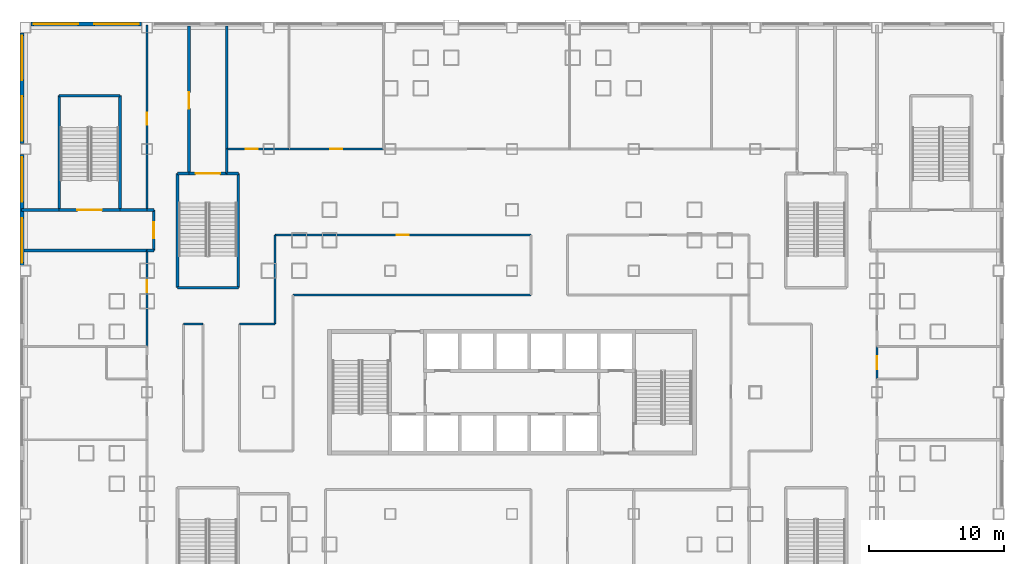
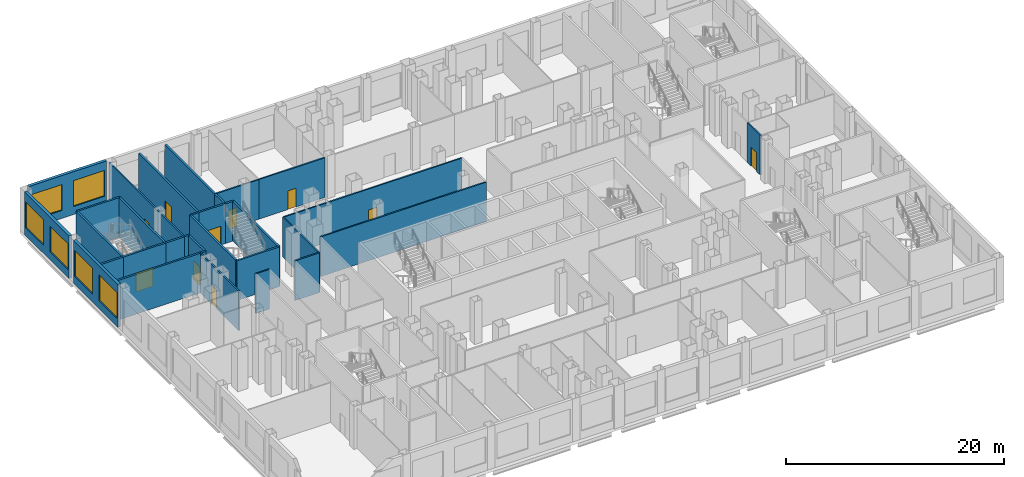
# One storey, part 6 of 23: 32 walls, 10 doors, 6 windows, 16 openings.
"""IFC4 building model written with IfcOpenShell, lengths in metres."""

from ifc_helpers import new_model, si_unit, direction, frame, frame_2d, origin, place, context, subcontext, project, spatial, rectangle, extrude, material, layer, layer_set, type_object, element, fill, save


model = new_model("IFC4")

# Units and contexts
model_context = context("Model", 3, precision=1e-05, world=origin(), true_north=direction((0.0, 1.0)))
body_context = subcontext(model_context, "Body", "Model", "MODEL_VIEW")
ifc_project = project(units=[si_unit("LENGTHUNIT", "METRE"), si_unit("AREAUNIT", "SQUARE_METRE"), si_unit("VOLUMEUNIT", "CUBIC_METRE"), si_unit("PLANEANGLEUNIT", "RADIAN"), si_unit("MASSUNIT", "GRAM", prefix="KILO")], contexts=[model_context])

# Site, building, storey
site_placement = place(None, origin())
site = spatial("IfcSite", under=ifc_project, at=site_placement, CompositionType="ELEMENT")
building_placement = place(site_placement, origin())
building = spatial("IfcBuilding", under=site, at=building_placement, Name="Caravel Reach Hotel and Residences", CompositionType="ELEMENT")
storey_placement = place(building_placement, frame((0.0, 0.0, 24.0)))
storey = spatial("IfcBuildingStorey", under=building, at=storey_placement, Name="L04", CompositionType="ELEMENT", Elevation=24.0)

# Walls
ifc_material_1 = material(Name="Autoclaved aerated block wall")
ifc_layer_1 = layer(ifc_material_1, 0.199951171875)
ifc_layer_set_1 = layer_set([ifc_layer_1], Name="Compartment wall 200 mm EI 120")
wall_type_1 = type_object("IfcWallType", Name="Compartment wall 200 mm EI 120", PredefinedType="PARTITIONING", material=ifc_layer_set_1)
wall_1_placement = place(storey_placement, frame((4.5, 37.5, 0.0), z_axis=(0.0, 0.0, 1.0), x_axis=(1.0, 0.0, 0.0)))
element("IfcWall", 1, at=wall_1_placement, inside=storey, type_object=wall_type_1, Name="L04 wall w096", PredefinedType="PARTITIONING", context=body_context, shape_type="SweptSolid", body=[
    extrude(rectangle(XDim=0.5, YDim=0.199951171875, at=frame_2d((0.25, 0.0))), origin(), (0.0, 0.0, 1.0), 4.449951171875),
])
wall_2_placement = place(storey_placement, frame((-4.6201171875, 37.5, 0.0), z_axis=(0.0, 0.0, 1.0), x_axis=(1.0, 0.0, 0.0)))
element("IfcWall", 2, at=wall_2_placement, inside=storey, type_object=wall_type_1, Name="L04 wall w097", PredefinedType="PARTITIONING", context=body_context, shape_type="SweptSolid", body=[
    extrude(rectangle(XDim=9.1201171875, YDim=0.199951171875, at=frame_2d((4.56005859375, 0.0))), origin(), (0.0, 0.0, 1.0), 4.449951171875),
])
wall_3_placement = place(storey_placement, frame((4.5, 40.5, 0.0), z_axis=(0.0, 0.0, 1.0), x_axis=(1.0, 0.0, 0.0)))
element("IfcWall", 3, at=wall_3_placement, inside=storey, type_object=wall_type_1, Name="L04 wall w102", PredefinedType="PARTITIONING", context=body_context, shape_type="SweptSolid", body=[
    extrude(rectangle(XDim=0.5, YDim=0.199951171875, at=frame_2d((0.25, 0.0))), origin(), (0.0, 0.0, 1.0), 4.449951171875),
])
wall_4_placement = place(storey_placement, frame((-4.7900390625, 40.5, 0.0), z_axis=(0.0, 0.0, 1.0), x_axis=(1.0, 0.0, 0.0)))
element("IfcWall", 4, at=wall_4_placement, inside=storey, type_object=wall_type_1, Name="L04 wall w103", PredefinedType="PARTITIONING", context=body_context, shape_type="SweptSolid", body=[
    extrude(rectangle(XDim=2.7900390625, YDim=0.199951171875, at=frame_2d((1.39501953125, 0.0))), origin(), (0.0, 0.0, 1.0), 4.449951171875),
])
wall_5_placement = place(storey_placement, frame((2.5, 40.5, 0.0), z_axis=(0.0, 0.0, 1.0), x_axis=(1.0, 0.0, 0.0)))
element("IfcWall", 5, at=wall_5_placement, inside=storey, type_object=wall_type_1, Name="L04 wall w104", PredefinedType="PARTITIONING", context=body_context, shape_type="SweptSolid", body=[
    extrude(rectangle(XDim=2.0, YDim=0.199951171875, at=frame_2d((1.0, 0.0))), origin(), (0.0, 0.0, 1.0), 4.449951171875),
])
wall_6_placement = place(storey_placement, frame((10.39990234375, 43.199951171875, 0.0), z_axis=(0.0, 0.0, 1.0), x_axis=(0.0, 1.0, 0.0)))
element("IfcWall", 6, at=wall_6_placement, inside=storey, type_object=wall_type_1, Name="L04 wall w109", PredefinedType="PARTITIONING", context=body_context, shape_type="SweptSolid", body=[
    extrude(rectangle(XDim=1.800048828125, YDim=0.199951171875, at=frame_2d((0.89990234375, 0.0))), origin(), (0.0, 0.0, 1.0), 4.449951171875),
])
wall_7_placement = place(storey_placement, frame((10.39990234375, 45.0, 0.0), z_axis=(0.0, 0.0, 1.0), x_axis=(0.0, 1.0, 0.0)))
element("IfcWall", 7, at=wall_7_placement, inside=storey, type_object=wall_type_1, Name="L04 wall w110", PredefinedType="PARTITIONING", context=body_context, shape_type="SweptSolid", body=[
    extrude(rectangle(XDim=9.1201171875, YDim=0.199951171875, at=frame_2d((4.56005859375, 0.0))), origin(), (0.0, 0.0, 1.0), 4.449951171875),
])

# Wall, opening, door
wall_8_placement = place(storey_placement, frame((5.0, 37.5, 0.0), z_axis=(0.0, 0.0, 1.0), x_axis=(0.0, 1.0, 0.0)))
wall_8 = element("IfcWall", 8, at=wall_8_placement, inside=storey, type_object=wall_type_1, Name="L04 wall w115", PredefinedType="PARTITIONING", context=body_context, shape_type="SweptSolid", body=[
    extrude(rectangle(XDim=3.0, YDim=0.199951171875, at=frame_2d((1.5, 0.0))), origin(), (0.0, 0.0, 1.0), 4.449951171875),
])
opening_1_placement = place(wall_8_placement, frame((0.89990234375, 0.0, 0.0)))
opening_1 = element("IfcOpeningElement", 9, at=opening_1_placement, cuts=wall_8, Name="Opening D04-022", PredefinedType="OPENING", context=body_context, shape_type="SweptSolid", body=[
    extrude(rectangle(XDim=1.199951171875, YDim=2.10009765625, at=frame_2d((0.60009765625, 1.050048828125))), frame((0.0, 0.10986328125, 0.0), z_axis=(0.0, -1.0, 0.0), x_axis=(1.0, 0.0, 0.0)), (0.0, 0.0, 1.0), 0.219970703125),
])
ifc_material_2 = material(Name="Steel fire door leaf", Category="steel")
door_type_1 = type_object("IfcDoorType", Name="Fire lobby door 1200 x 2100 EI 90", OperationType="SINGLE_SWING_LEFT", PredefinedType="DOOR", material=ifc_material_2)
door_1_placement = place(opening_1_placement, origin())
door_1 = element("IfcDoor", 10, at=door_1_placement, inside=storey, type_object=door_type_1, Name="door D04-022", OperationType="SINGLE_SWING_LEFT", OverallHeight=2.10009765625, OverallWidth=1.199951171875, PredefinedType="DOOR", context=body_context, shape_type="SweptSolid", body=[
    extrude(rectangle(XDim=1.199951171875, YDim=2.10009765625, at=frame_2d((0.60009765625, 1.050048828125))), frame((0.0, 0.02490234375, 0.0), z_axis=(0.0, -1.0, 0.0), x_axis=(1.0, 0.0, 0.0)), (0.0, 0.0, 1.0), 0.050048828125),
])
fill(opening_1, door_1)

wall_9_placement = place(storey_placement, frame((7.60009765625, 43.199951171875, 0.0), z_axis=(0.0, 0.0, 1.0), x_axis=(0.0, 1.0, 0.0)))
wall_9 = element("IfcWall", 11, at=wall_9_placement, inside=storey, type_object=wall_type_1, Name="L04 wall w128", PredefinedType="PARTITIONING", context=body_context, shape_type="SweptSolid", body=[
    extrude(rectangle(XDim=10.920166015625, YDim=0.199951171875, at=frame_2d((5.4599609375, 0.0))), origin(), (0.0, 0.0, 1.0), 4.449951171875),
])
opening_2_placement = place(wall_9_placement, frame((4.800048828125, 0.0, 0.0)))
opening_2 = element("IfcOpeningElement", 12, at=opening_2_placement, cuts=wall_9, Name="Opening D04-014", PredefinedType="OPENING", context=body_context, shape_type="SweptSolid", body=[
    extrude(rectangle(XDim=1.199951171875, YDim=2.10009765625, at=frame_2d((0.60009765625, 1.050048828125))), frame((0.0, 0.10986328125, 0.0), z_axis=(0.0, -1.0, 0.0), x_axis=(1.0, 0.0, 0.0)), (0.0, 0.0, 1.0), 0.219970703125),
])
door_2_placement = place(opening_2_placement, origin())
door_2 = element("IfcDoor", 13, at=door_2_placement, inside=storey, type_object=door_type_1, Name="door D04-014", OperationType="SINGLE_SWING_RIGHT", OverallHeight=2.10009765625, OverallWidth=1.199951171875, PredefinedType="DOOR", context=body_context, shape_type="SweptSolid", body=[
    extrude(rectangle(XDim=1.199951171875, YDim=2.10009765625, at=frame_2d((0.60009765625, 1.050048828125))), frame((0.0, 0.02490234375, 0.0), z_axis=(0.0, -1.0, 0.0), x_axis=(1.0, 0.0, 0.0)), (0.0, 0.0, 1.0), 0.050048828125),
])
fill(opening_2, door_2)

# Walls
ifc_material_3 = material(Name="Gypsum board on steel stud, fire-rated", Category="steel")
ifc_layer_2 = layer(ifc_material_3, 0.14990234375)
ifc_layer_set_2 = layer_set([ifc_layer_2], Name="Corridor wall 150 mm EI 60")
wall_type_2 = type_object("IfcWallType", Name="Corridor wall 150 mm EI 60", PredefinedType="PARTITIONING", material=ifc_layer_set_2)
wall_10_placement = place(storey_placement, frame((11.35009765625, 32.050048828125, 0.0), z_axis=(0.0, 0.0, 1.0), x_axis=(1.0, 0.0, 0.0)))
element("IfcWall", 14, at=wall_10_placement, inside=storey, type_object=wall_type_2, Name="L04 wall w011", PredefinedType="PARTITIONING", context=body_context, shape_type="SweptSolid", body=[
    extrude(rectangle(XDim=2.599853515625, YDim=0.14990234375, at=frame_2d((1.2998046875, 0.0))), origin(), (0.0, 0.0, 1.0), 4.449951171875),
])
wall_11_placement = place(storey_placement, frame((7.199951171875, 32.050048828125, 0.0), z_axis=(0.0, 0.0, 1.0), x_axis=(1.0, 0.0, 0.0)))
element("IfcWall", 15, at=wall_11_placement, inside=storey, type_object=wall_type_2, Name="L04 wall w012", PredefinedType="PARTITIONING", context=body_context, shape_type="SweptSolid", body=[
    extrude(rectangle(XDim=1.449951171875, YDim=0.14990234375, at=frame_2d((0.72509765625, 0.0))), origin(), (0.0, 0.0, 1.0), 4.449951171875),
])
wall_12_placement = place(storey_placement, frame((15.300048828125, 34.199951171875, 0.0), z_axis=(0.0, 0.0, 1.0), x_axis=(1.0, 0.0, 0.0)))
element("IfcWall", 16, at=wall_12_placement, inside=storey, type_object=wall_type_2, Name="L04 wall w014", PredefinedType="PARTITIONING", context=body_context, shape_type="SweptSolid", body=[
    extrude(rectangle(XDim=17.599853515625, YDim=0.14990234375, at=frame_2d((8.7998046875, 0.0))), origin(), (0.0, 0.0, 1.0), 4.449951171875),
])

# Wall, opening, door
wall_13_placement = place(storey_placement, frame((13.949951171875, 38.64990234375, 0.0), z_axis=(0.0, 0.0, 1.0), x_axis=(1.0, 0.0, 0.0)))
wall_13 = element("IfcWall", 17, at=wall_13_placement, inside=storey, type_object=wall_type_2, Name="L04 wall w016", PredefinedType="PARTITIONING", context=body_context, shape_type="SweptSolid", body=[
    extrude(rectangle(XDim=18.949951171875, YDim=0.14990234375, at=frame_2d((9.47509765625, 0.0))), origin(), (0.0, 0.0, 1.0), 4.449951171875),
])
opening_3_placement = place(wall_13_placement, frame((9.02490234375, 0.0, 0.0)))
opening_3 = element("IfcOpeningElement", 18, at=opening_3_placement, cuts=wall_13, Name="Opening D04-061", PredefinedType="OPENING", context=body_context, shape_type="SweptSolid", body=[
    extrude(rectangle(XDim=0.89990234375, YDim=2.10009765625, at=frame_2d((0.449951171875, 1.050048828125))), frame((0.0, 0.0849609375, 0.0), z_axis=(0.0, -1.0, 0.0), x_axis=(1.0, 0.0, 0.0)), (0.0, 0.0, 1.0), 0.169921875),
])
ifc_material_4 = material(Name="Timber and steel door leaf", Category="steel")
door_type_2 = type_object("IfcDoorType", Name="Door 900 x 2100 timber", OperationType="SINGLE_SWING_LEFT", PredefinedType="DOOR", material=ifc_material_4)
door_3_placement = place(opening_3_placement, origin())
door_3 = element("IfcDoor", 19, at=door_3_placement, inside=storey, type_object=door_type_2, Name="door D04-061", OperationType="SINGLE_SWING_LEFT", OverallHeight=2.10009765625, OverallWidth=0.89990234375, PredefinedType="DOOR", context=body_context, shape_type="SweptSolid", body=[
    extrude(rectangle(XDim=0.89990234375, YDim=2.10009765625, at=frame_2d((0.449951171875, 1.050048828125))), frame((0.0, 0.02490234375, 0.0), z_axis=(0.0, -1.0, 0.0), x_axis=(1.0, 0.0, 0.0)), (0.0, 0.0, 1.0), 0.050048828125),
])
fill(opening_3, door_3)

wall_14_placement = place(storey_placement, frame((10.39990234375, 45.0, 0.0), z_axis=(0.0, 0.0, 1.0), x_axis=(1.0, 0.0, 0.0)))
wall_14 = element("IfcWall", 20, at=wall_14_placement, inside=storey, type_object=wall_type_2, Name="L04 wall w017", PredefinedType="PARTITIONING", context=body_context, shape_type="SweptSolid", body=[
    extrude(rectangle(XDim=4.60009765625, YDim=0.14990234375, at=frame_2d((2.300048828125, 0.0))), origin(), (0.0, 0.0, 1.0), 4.449951171875),
])
opening_4_placement = place(wall_14_placement, frame((1.39990234375, 0.0, 0.0)))
opening_4 = element("IfcOpeningElement", 21, at=opening_4_placement, cuts=wall_14, Name="Opening D04-050", PredefinedType="OPENING", context=body_context, shape_type="SweptSolid", body=[
    extrude(rectangle(XDim=0.89990234375, YDim=2.10009765625, at=frame_2d((0.449951171875, 1.050048828125))), frame((0.0, 0.0849609375, 0.0), z_axis=(0.0, -1.0, 0.0), x_axis=(1.0, 0.0, 0.0)), (0.0, 0.0, 1.0), 0.169921875),
])
door_4_placement = place(opening_4_placement, origin())
door_4 = element("IfcDoor", 22, at=door_4_placement, inside=storey, type_object=door_type_2, Name="door D04-050", OperationType="SINGLE_SWING_LEFT", OverallHeight=2.10009765625, OverallWidth=0.89990234375, PredefinedType="DOOR", context=body_context, shape_type="SweptSolid", body=[
    extrude(rectangle(XDim=0.89990234375, YDim=2.10009765625, at=frame_2d((0.449951171875, 1.050048828125))), frame((0.0, 0.02490234375, 0.0), z_axis=(0.0, -1.0, 0.0), x_axis=(1.0, 0.0, 0.0)), (0.0, 0.0, 1.0), 0.050048828125),
])
fill(opening_4, door_4)

wall_15_placement = place(storey_placement, frame((15.0, 45.0, 0.0), z_axis=(0.0, 0.0, 1.0), x_axis=(1.0, 0.0, 0.0)))
wall_15 = element("IfcWall", 23, at=wall_15_placement, inside=storey, type_object=wall_type_2, Name="L04 wall w018", PredefinedType="PARTITIONING", context=body_context, shape_type="SweptSolid", body=[
    extrude(rectangle(XDim=7.0, YDim=0.14990234375, at=frame_2d((3.5, 0.0))), origin(), (0.0, 0.0, 1.0), 4.449951171875),
])
opening_5_placement = place(wall_15_placement, frame((3.050048828125, 0.0, 0.0)))
opening_5 = element("IfcOpeningElement", 24, at=opening_5_placement, cuts=wall_15, Name="Opening D04-051", PredefinedType="OPENING", context=body_context, shape_type="SweptSolid", body=[
    extrude(rectangle(XDim=0.89990234375, YDim=2.10009765625, at=frame_2d((0.449951171875, 1.050048828125))), frame((0.0, 0.0849609375, 0.0), z_axis=(0.0, -1.0, 0.0), x_axis=(1.0, 0.0, 0.0)), (0.0, 0.0, 1.0), 0.169921875),
])
door_5_placement = place(opening_5_placement, origin())
door_5 = element("IfcDoor", 25, at=door_5_placement, inside=storey, type_object=door_type_2, Name="door D04-051", OperationType="SINGLE_SWING_RIGHT", OverallHeight=2.10009765625, OverallWidth=0.89990234375, PredefinedType="DOOR", context=body_context, shape_type="SweptSolid", body=[
    extrude(rectangle(XDim=0.89990234375, YDim=2.10009765625, at=frame_2d((0.449951171875, 1.050048828125))), frame((0.0, 0.02490234375, 0.0), z_axis=(0.0, -1.0, 0.0), x_axis=(1.0, 0.0, 0.0)), (0.0, 0.0, 1.0), 0.050048828125),
])
fill(opening_5, door_5)

# Wall
wall_16_placement = place(storey_placement, frame((13.949951171875, 32.050048828125, 0.0), z_axis=(0.0, 0.0, 1.0), x_axis=(0.0, 1.0, 0.0)))
element("IfcWall", 26, at=wall_16_placement, inside=storey, type_object=wall_type_2, Name="L04 wall w035", PredefinedType="PARTITIONING", context=body_context, shape_type="SweptSolid", body=[
    extrude(rectangle(XDim=6.599853515625, YDim=0.14990234375, at=frame_2d((3.2998046875, 0.0))), origin(), (0.0, 0.0, 1.0), 4.449951171875),
])

# Wall, opening, door
wall_17_placement = place(storey_placement, frame((4.5, 30.39990234375, 0.0), z_axis=(0.0, 0.0, 1.0), x_axis=(0.0, 1.0, 0.0)))
wall_17 = element("IfcWall", 27, at=wall_17_placement, inside=storey, type_object=wall_type_2, Name="L04 wall w047", PredefinedType="PARTITIONING", context=body_context, shape_type="SweptSolid", body=[
    extrude(rectangle(XDim=7.10009765625, YDim=0.14990234375, at=frame_2d((3.550048828125, 0.0))), origin(), (0.0, 0.0, 1.0), 4.449951171875),
])
opening_6_placement = place(wall_17_placement, frame((4.0, 0.0, 0.0)))
opening_6 = element("IfcOpeningElement", 28, at=opening_6_placement, cuts=wall_17, Name="Opening D04-032", PredefinedType="OPENING", context=body_context, shape_type="SweptSolid", body=[
    extrude(rectangle(XDim=0.89990234375, YDim=2.10009765625, at=frame_2d((0.449951171875, 1.050048828125))), frame((0.0, 0.0849609375, 0.0), z_axis=(0.0, -1.0, 0.0), x_axis=(1.0, 0.0, 0.0)), (0.0, 0.0, 1.0), 0.169921875),
])
door_6_placement = place(opening_6_placement, origin())
door_6 = element("IfcDoor", 29, at=door_6_placement, inside=storey, type_object=door_type_2, Name="door D04-032", OperationType="SINGLE_SWING_RIGHT", OverallHeight=2.10009765625, OverallWidth=0.89990234375, PredefinedType="DOOR", context=body_context, shape_type="SweptSolid", body=[
    extrude(rectangle(XDim=0.89990234375, YDim=2.10009765625, at=frame_2d((0.449951171875, 1.050048828125))), frame((0.0, 0.02490234375, 0.0), z_axis=(0.0, -1.0, 0.0), x_axis=(1.0, 0.0, 0.0)), (0.0, 0.0, 1.0), 0.050048828125),
])
fill(opening_6, door_6)

wall_18_placement = place(storey_placement, frame((4.5, 40.5, 0.0), z_axis=(0.0, 0.0, 1.0), x_axis=(0.0, 1.0, 0.0)))
wall_18 = element("IfcWall", 30, at=wall_18_placement, inside=storey, type_object=wall_type_2, Name="L04 wall w048", PredefinedType="PARTITIONING", context=body_context, shape_type="SweptSolid", body=[
    extrude(rectangle(XDim=13.68994140625, YDim=0.14990234375, at=frame_2d((6.844970703125, 0.0))), origin(), (0.0, 0.0, 1.0), 4.449951171875),
])
opening_7_placement = place(wall_18_placement, frame((6.300048828125, 0.0, 0.0)))
opening_7 = element("IfcOpeningElement", 31, at=opening_7_placement, cuts=wall_18, Name="Opening D04-033", PredefinedType="OPENING", context=body_context, shape_type="SweptSolid", body=[
    extrude(rectangle(XDim=0.89990234375, YDim=2.10009765625, at=frame_2d((0.449951171875, 1.050048828125))), frame((0.0, 0.0849609375, 0.0), z_axis=(0.0, -1.0, 0.0), x_axis=(1.0, 0.0, 0.0)), (0.0, 0.0, 1.0), 0.169921875),
])
door_7_placement = place(opening_7_placement, origin())
door_7 = element("IfcDoor", 32, at=door_7_placement, inside=storey, type_object=door_type_2, Name="door D04-033", OperationType="SINGLE_SWING_RIGHT", OverallHeight=2.10009765625, OverallWidth=0.89990234375, PredefinedType="DOOR", context=body_context, shape_type="SweptSolid", body=[
    extrude(rectangle(XDim=0.89990234375, YDim=2.10009765625, at=frame_2d((0.449951171875, 1.050048828125))), frame((0.0, 0.02490234375, 0.0), z_axis=(0.0, -1.0, 0.0), x_axis=(1.0, 0.0, 0.0)), (0.0, 0.0, 1.0), 0.050048828125),
])
fill(opening_7, door_7)

wall_19_placement = place(storey_placement, frame((58.5, 28.0, 0.0), z_axis=(0.0, 0.0, 1.0), x_axis=(0.0, 1.0, 0.0)))
wall_19 = element("IfcWall", 33, at=wall_19_placement, inside=storey, type_object=wall_type_2, Name="L04 wall w056", PredefinedType="PARTITIONING", context=body_context, shape_type="SweptSolid", body=[
    extrude(rectangle(XDim=2.39990234375, YDim=0.14990234375, at=frame_2d((1.199951171875, 0.0))), origin(), (0.0, 0.0, 1.0), 4.449951171875),
])
opening_8_placement = place(wall_19_placement, frame((0.72509765625, 0.0, 0.0)))
opening_8 = element("IfcOpeningElement", 34, at=opening_8_placement, cuts=wall_19, Name="Opening D04-037", PredefinedType="OPENING", context=body_context, shape_type="SweptSolid", body=[
    extrude(rectangle(XDim=0.949951171875, YDim=2.10009765625, at=frame_2d((0.47509765625, 1.050048828125))), frame((0.0, 0.0849609375, 0.0), z_axis=(0.0, -1.0, 0.0), x_axis=(1.0, 0.0, 0.0)), (0.0, 0.0, 1.0), 0.169921875),
])
ifc_material_5 = material(Name="Timber and steel door leaf", Category="steel")
door_type_3 = type_object("IfcDoorType", Name="Accessible WC door 950 x 2100", OperationType="SINGLE_SWING_LEFT", PredefinedType="DOOR", material=ifc_material_5)
door_8_placement = place(opening_8_placement, origin())
door_8 = element("IfcDoor", 35, at=door_8_placement, inside=storey, type_object=door_type_3, Name="door D04-037", OperationType="SINGLE_SWING_LEFT", OverallHeight=2.10009765625, OverallWidth=0.949951171875, PredefinedType="DOOR", context=body_context, shape_type="SweptSolid", body=[
    extrude(rectangle(XDim=0.949951171875, YDim=2.10009765625, at=frame_2d((0.47509765625, 1.050048828125))), frame((0.0, 0.02490234375, 0.0), z_axis=(0.0, -1.0, 0.0), x_axis=(1.0, 0.0, 0.0)), (0.0, 0.0, 1.0), 0.050048828125),
])
fill(opening_8, door_8)

# Wall, openings, windows
ifc_material_6 = material(Name="Insulated wall, stone cladding", Category="masonry")
ifc_layer_3 = layer(ifc_material_6, 0.300048828125)
ifc_layer_set_3 = layer_set([ifc_layer_3], Name="EW2 Podium stone-clad wall")
wall_type_3 = type_object("IfcWallType", Name="EW2 Podium stone-clad wall", PredefinedType="SOLIDWALL", material=ifc_layer_set_3)
wall_20_placement = place(storey_placement, frame((4.10009765625, 54.25, 0.0), z_axis=(0.0, 0.0, 1.0), x_axis=(-1.0, 0.0, 0.0)))
wall_20 = element("IfcWall", 36, at=wall_20_placement, inside=storey, type_object=wall_type_3, Name="External wall L04 N2.10", PredefinedType="SOLIDWALL", context=body_context, shape_type="SweptSolid", body=[
    extrude(rectangle(XDim=8.2001953125, YDim=0.300048828125, at=frame_2d((4.10009765625, 0.0))), origin(), (0.0, 0.0, 1.0), 4.800048828125),
])
opening_9_placement = place(wall_20_placement, frame((0.199951171875, 0.0, 0.89990234375)))
opening_9 = element("IfcOpeningElement", 37, at=opening_9_placement, cuts=wall_20, Name="Opening WN32", PredefinedType="OPENING", context=body_context, shape_type="SweptSolid", body=[
    extrude(rectangle(XDim=3.300048828125, YDim=2.89990234375, at=frame_2d((1.64990234375, 1.449951171875))), frame((0.0, 0.159912109375, 0.0), z_axis=(0.0, -1.0, 0.0), x_axis=(1.0, 0.0, 0.0)), (0.0, 0.0, 1.0), 0.320068359375),
])
opening_10_placement = place(wall_20_placement, frame((4.699951171875, 0.0, 0.89990234375)))
opening_10 = element("IfcOpeningElement", 38, at=opening_10_placement, cuts=wall_20, Name="Opening WN32", PredefinedType="OPENING", context=body_context, shape_type="SweptSolid", body=[
    extrude(rectangle(XDim=3.300048828125, YDim=2.89990234375, at=frame_2d((1.64990234375, 1.449951171875))), frame((0.0, 0.159912109375, 0.0), z_axis=(0.0, -1.0, 0.0), x_axis=(1.0, 0.0, 0.0)), (0.0, 0.0, 1.0), 0.320068359375),
])
ifc_material_7 = material(Name="Dark low-e glazing in black aluminium frame", Category="aluminium")
window_type = type_object("IfcWindowType", Name="Podium window 3300 x 2900", PartitioningType="SINGLE_PANEL", PredefinedType="WINDOW", material=ifc_material_7)
window_1_placement = place(opening_9_placement, origin())
window_1 = element("IfcWindow", 39, at=window_1_placement, inside=storey, type_object=window_type, Name="Window L04 N2.10.1", OverallHeight=2.89990234375, OverallWidth=3.300048828125, PartitioningType="SINGLE_PANEL", PredefinedType="WINDOW", context=body_context, shape_type="SweptSolid", body=[
    extrude(rectangle(XDim=3.300048828125, YDim=2.89990234375, at=frame_2d((1.64990234375, 1.449951171875))), frame((0.0, 0.030029296875, 0.0), z_axis=(0.0, -1.0, 0.0), x_axis=(1.0, 0.0, 0.0)), (0.0, 0.0, 1.0), 0.06005859375),
])
fill(opening_9, window_1)
window_2_placement = place(opening_10_placement, origin())
window_2 = element("IfcWindow", 40, at=window_2_placement, inside=storey, type_object=window_type, Name="Window L04 N2.10.2", OverallHeight=2.89990234375, OverallWidth=3.300048828125, PartitioningType="SINGLE_PANEL", PredefinedType="WINDOW", context=body_context, shape_type="SweptSolid", body=[
    extrude(rectangle(XDim=3.300048828125, YDim=2.89990234375, at=frame_2d((1.64990234375, 1.449951171875))), frame((0.0, 0.030029296875, 0.0), z_axis=(0.0, -1.0, 0.0), x_axis=(1.0, 0.0, 0.0)), (0.0, 0.0, 1.0), 0.06005859375),
])
fill(opening_10, window_2)

wall_21_placement = place(storey_placement, frame((-4.75, 53.60009765625, 0.0), z_axis=(0.0, 0.0, 1.0), x_axis=(0.0, -1.0, 0.0)))
wall_21 = element("IfcWall", 41, at=wall_21_placement, inside=storey, type_object=wall_type_3, Name="External wall L04 W3.1", PredefinedType="SOLIDWALL", context=body_context, shape_type="SweptSolid", body=[
    extrude(rectangle(XDim=8.2001953125, YDim=0.300048828125, at=frame_2d((4.10009765625, 0.0))), origin(), (0.0, 0.0, 1.0), 4.800048828125),
])
opening_11_placement = place(wall_21_placement, frame((0.199951171875, 0.0, 0.89990234375)))
opening_11 = element("IfcOpeningElement", 42, at=opening_11_placement, cuts=wall_21, Name="Opening WN32", PredefinedType="OPENING", context=body_context, shape_type="SweptSolid", body=[
    extrude(rectangle(XDim=3.300048828125, YDim=2.89990234375, at=frame_2d((1.64990234375, 1.449951171875))), frame((0.0, 0.159912109375, 0.0), z_axis=(0.0, -1.0, 0.0), x_axis=(1.0, 0.0, 0.0)), (0.0, 0.0, 1.0), 0.320068359375),
])
opening_12_placement = place(wall_21_placement, frame((4.699951171875, 0.0, 0.89990234375)))
opening_12 = element("IfcOpeningElement", 43, at=opening_12_placement, cuts=wall_21, Name="Opening WN32", PredefinedType="OPENING", context=body_context, shape_type="SweptSolid", body=[
    extrude(rectangle(XDim=3.300048828125, YDim=2.89990234375, at=frame_2d((1.64990234375, 1.449951171875))), frame((0.0, 0.159912109375, 0.0), z_axis=(0.0, -1.0, 0.0), x_axis=(1.0, 0.0, 0.0)), (0.0, 0.0, 1.0), 0.320068359375),
])
window_3_placement = place(opening_11_placement, origin())
window_3 = element("IfcWindow", 44, at=window_3_placement, inside=storey, type_object=window_type, Name="Window L04 W3.1.1", OverallHeight=2.89990234375, OverallWidth=3.300048828125, PartitioningType="SINGLE_PANEL", PredefinedType="WINDOW", context=body_context, shape_type="SweptSolid", body=[
    extrude(rectangle(XDim=3.300048828125, YDim=2.89990234375, at=frame_2d((1.64990234375, 1.449951171875))), frame((0.0, 0.030029296875, 0.0), z_axis=(0.0, -1.0, 0.0), x_axis=(1.0, 0.0, 0.0)), (0.0, 0.0, 1.0), 0.06005859375),
])
fill(opening_11, window_3)
window_4_placement = place(opening_12_placement, origin())
window_4 = element("IfcWindow", 45, at=window_4_placement, inside=storey, type_object=window_type, Name="Window L04 W3.1.2", OverallHeight=2.89990234375, OverallWidth=3.300048828125, PartitioningType="SINGLE_PANEL", PredefinedType="WINDOW", context=body_context, shape_type="SweptSolid", body=[
    extrude(rectangle(XDim=3.300048828125, YDim=2.89990234375, at=frame_2d((1.64990234375, 1.449951171875))), frame((0.0, 0.030029296875, 0.0), z_axis=(0.0, -1.0, 0.0), x_axis=(1.0, 0.0, 0.0)), (0.0, 0.0, 1.0), 0.06005859375),
])
fill(opening_12, window_4)

wall_22_placement = place(storey_placement, frame((-4.75, 44.60009765625, 0.0), z_axis=(0.0, 0.0, 1.0), x_axis=(0.0, -1.0, 0.0)))
wall_22 = element("IfcWall", 46, at=wall_22_placement, inside=storey, type_object=wall_type_3, Name="External wall L04 W3.2", PredefinedType="SOLIDWALL", context=body_context, shape_type="SweptSolid", body=[
    extrude(rectangle(XDim=8.2001953125, YDim=0.300048828125, at=frame_2d((4.10009765625, 0.0))), origin(), (0.0, 0.0, 1.0), 4.800048828125),
])
opening_13_placement = place(wall_22_placement, frame((0.199951171875, 0.0, 0.89990234375)))
opening_13 = element("IfcOpeningElement", 47, at=opening_13_placement, cuts=wall_22, Name="Opening WN32", PredefinedType="OPENING", context=body_context, shape_type="SweptSolid", body=[
    extrude(rectangle(XDim=3.300048828125, YDim=2.89990234375, at=frame_2d((1.64990234375, 1.449951171875))), frame((0.0, 0.159912109375, 0.0), z_axis=(0.0, -1.0, 0.0), x_axis=(1.0, 0.0, 0.0)), (0.0, 0.0, 1.0), 0.320068359375),
])
opening_14_placement = place(wall_22_placement, frame((4.699951171875, 0.0, 0.89990234375)))
opening_14 = element("IfcOpeningElement", 48, at=opening_14_placement, cuts=wall_22, Name="Opening WN32", PredefinedType="OPENING", context=body_context, shape_type="SweptSolid", body=[
    extrude(rectangle(XDim=3.300048828125, YDim=2.89990234375, at=frame_2d((1.64990234375, 1.449951171875))), frame((0.0, 0.159912109375, 0.0), z_axis=(0.0, -1.0, 0.0), x_axis=(1.0, 0.0, 0.0)), (0.0, 0.0, 1.0), 0.320068359375),
])
window_5_placement = place(opening_13_placement, origin())
window_5 = element("IfcWindow", 49, at=window_5_placement, inside=storey, type_object=window_type, Name="Window L04 W3.2.1", OverallHeight=2.89990234375, OverallWidth=3.300048828125, PartitioningType="SINGLE_PANEL", PredefinedType="WINDOW", context=body_context, shape_type="SweptSolid", body=[
    extrude(rectangle(XDim=3.300048828125, YDim=2.89990234375, at=frame_2d((1.64990234375, 1.449951171875))), frame((0.0, 0.030029296875, 0.0), z_axis=(0.0, -1.0, 0.0), x_axis=(1.0, 0.0, 0.0)), (0.0, 0.0, 1.0), 0.06005859375),
])
fill(opening_13, window_5)
window_6_placement = place(opening_14_placement, origin())
window_6 = element("IfcWindow", 50, at=window_6_placement, inside=storey, type_object=window_type, Name="Window L04 W3.2.2", OverallHeight=2.89990234375, OverallWidth=3.300048828125, PartitioningType="SINGLE_PANEL", PredefinedType="WINDOW", context=body_context, shape_type="SweptSolid", body=[
    extrude(rectangle(XDim=3.300048828125, YDim=2.89990234375, at=frame_2d((1.64990234375, 1.449951171875))), frame((0.0, 0.030029296875, 0.0), z_axis=(0.0, -1.0, 0.0), x_axis=(1.0, 0.0, 0.0)), (0.0, 0.0, 1.0), 0.06005859375),
])
fill(opening_14, window_6)

# Wall
ifc_material_8 = material(Name="Concrete C60", Category="concrete")
ifc_layer_4 = layer(ifc_material_8, 0.199951171875)
ifc_layer_set_4 = layer_set([ifc_layer_4], Name="Stair enclosure wall 200 mm EI 120")
wall_type_4 = type_object("IfcWallType", Name="Stair enclosure wall 200 mm EI 120", PredefinedType="SHEAR", material=ifc_layer_set_4)
wall_23_placement = place(storey_placement, frame((6.75, 34.75, 0.0), z_axis=(0.0, 0.0, 1.0), x_axis=(1.0, 0.0, 0.0)))
element("IfcWall", 51, at=wall_23_placement, inside=storey, type_object=wall_type_4, Name="L04 wall w140", PredefinedType="SHEAR", context=body_context, shape_type="SweptSolid", body=[
    extrude(rectangle(XDim=4.5, YDim=0.199951171875, at=frame_2d((2.25, 0.0))), origin(), (0.0, 0.0, 1.0), 4.449951171875),
])

# Wall, opening, door
wall_24_placement = place(storey_placement, frame((-2.0, 40.5, 0.0), z_axis=(0.0, 0.0, 1.0), x_axis=(1.0, 0.0, 0.0)))
wall_24 = element("IfcWall", 52, at=wall_24_placement, inside=storey, type_object=wall_type_4, Name="L04 wall w142", PredefinedType="SHEAR", context=body_context, shape_type="SweptSolid", body=[
    extrude(rectangle(XDim=4.5, YDim=0.199951171875, at=frame_2d((2.25, 0.0))), origin(), (0.0, 0.0, 1.0), 4.449951171875),
])
opening_15_placement = place(wall_24_placement, frame((1.35009765625, 0.0, 0.0)))
opening_15 = element("IfcOpeningElement", 53, at=opening_15_placement, cuts=wall_24, Name="Opening D04-023", PredefinedType="OPENING", context=body_context, shape_type="SweptSolid", body=[
    extrude(rectangle(XDim=1.800048828125, YDim=2.10009765625, at=frame_2d((0.89990234375, 1.050048828125))), frame((0.0, 0.10986328125, 0.0), z_axis=(0.0, -1.0, 0.0), x_axis=(1.0, 0.0, 0.0)), (0.0, 0.0, 1.0), 0.219970703125),
])
ifc_material_9 = material(Name="Steel fire door leaf", Category="steel")
door_type_4 = type_object("IfcDoorType", Name="Stair door pair 1800 x 2100 EI 90", OperationType="DOUBLE_DOOR_SINGLE_SWING", PredefinedType="DOOR", material=ifc_material_9)
door_9_placement = place(opening_15_placement, origin())
door_9 = element("IfcDoor", 54, at=door_9_placement, inside=storey, type_object=door_type_4, Name="door D04-023", OperationType="DOUBLE_DOOR_SINGLE_SWING", OverallHeight=2.10009765625, OverallWidth=1.800048828125, PredefinedType="DOOR", context=body_context, shape_type="SweptSolid", body=[
    extrude(rectangle(XDim=1.800048828125, YDim=2.10009765625, at=frame_2d((0.89990234375, 1.050048828125))), frame((0.0, 0.02490234375, 0.0), z_axis=(0.0, -1.0, 0.0), x_axis=(1.0, 0.0, 0.0)), (0.0, 0.0, 1.0), 0.050048828125),
])
fill(opening_15, door_9)

# Walls
for number, where, z_axis, x_axis, name in (
    (55, (6.75, 43.199951171875, 0.0), (0.0, 0.0, 1.0), (1.0, 0.0, 0.0), "L04 wall w144"),
    (56, (10.39990234375, 43.199951171875, 0.0), (0.0, 0.0, 1.0), (1.0, 0.0, 0.0), "L04 wall w145"),
):
    element("IfcWall", number, at=place(storey_placement, frame(where, z_axis=z_axis, x_axis=x_axis)), inside=storey, type_object=wall_type_4, Name=name, PredefinedType="SHEAR", context=body_context, shape_type="SweptSolid", body=[
        extrude(rectangle(XDim=0.85009765625, YDim=0.199951171875, at=frame_2d((0.425048828125, 0.0))), origin(), (0.0, 0.0, 1.0), 4.449951171875),
    ])

# Wall, opening, door
wall_25_placement = place(storey_placement, frame((7.60009765625, 43.199951171875, 0.0), z_axis=(0.0, 0.0, 1.0), x_axis=(1.0, 0.0, 0.0)))
wall_25 = element("IfcWall", 57, at=wall_25_placement, inside=storey, type_object=wall_type_4, Name="L04 wall w146", PredefinedType="SHEAR", context=body_context, shape_type="SweptSolid", body=[
    extrude(rectangle(XDim=2.7998046875, YDim=0.199951171875, at=frame_2d((1.39990234375, 0.0))), origin(), (0.0, 0.0, 1.0), 4.449951171875),
])
opening_16_placement = place(wall_25_placement, frame((0.5, 0.0, 0.0)))
opening_16 = element("IfcOpeningElement", 58, at=opening_16_placement, cuts=wall_25, Name="Opening D04-015", PredefinedType="OPENING", context=body_context, shape_type="SweptSolid", body=[
    extrude(rectangle(XDim=1.800048828125, YDim=2.10009765625, at=frame_2d((0.89990234375, 1.050048828125))), frame((0.0, 0.10986328125, 0.0), z_axis=(0.0, -1.0, 0.0), x_axis=(1.0, 0.0, 0.0)), (0.0, 0.0, 1.0), 0.219970703125),
])
door_10_placement = place(opening_16_placement, origin())
door_10 = element("IfcDoor", 59, at=door_10_placement, inside=storey, type_object=door_type_4, Name="door D04-015", OperationType="DOUBLE_DOOR_SINGLE_SWING", OverallHeight=2.10009765625, OverallWidth=1.800048828125, PredefinedType="DOOR", context=body_context, shape_type="SweptSolid", body=[
    extrude(rectangle(XDim=1.800048828125, YDim=2.10009765625, at=frame_2d((0.89990234375, 1.050048828125))), frame((0.0, 0.02490234375, 0.0), z_axis=(0.0, -1.0, 0.0), x_axis=(1.0, 0.0, 0.0)), (0.0, 0.0, 1.0), 0.050048828125),
])
fill(opening_16, door_10)

# Walls
wall_26_placement = place(storey_placement, frame((-2.0, 48.949951171875, 0.0), z_axis=(0.0, 0.0, 1.0), x_axis=(1.0, 0.0, 0.0)))
element("IfcWall", 60, at=wall_26_placement, inside=storey, type_object=wall_type_4, Name="L04 wall w150", PredefinedType="SHEAR", context=body_context, shape_type="SweptSolid", body=[
    extrude(rectangle(XDim=4.5, YDim=0.199951171875, at=frame_2d((2.25, 0.0))), origin(), (0.0, 0.0, 1.0), 4.449951171875),
])
for number, where, z_axis, x_axis, name in (
    (61, (-2.0, 40.5, 0.0), (0.0, 0.0, 1.0), (0.0, 1.0, 0.0), "L04 wall w153"),
    (62, (11.25, 34.75, 0.0), (0.0, 0.0, 1.0), (0.0, 1.0, 0.0), "L04 wall w154"),
    (63, (2.5, 40.5, 0.0), (0.0, 0.0, 1.0), (0.0, 1.0, 0.0), "L04 wall w158"),
    (64, (6.75, 34.75, 0.0), (0.0, 0.0, 1.0), (0.0, 1.0, 0.0), "L04 wall w163"),
):
    element("IfcWall", number, at=place(storey_placement, frame(where, z_axis=z_axis, x_axis=x_axis)), inside=storey, type_object=wall_type_4, Name=name, PredefinedType="SHEAR", context=body_context, shape_type="SweptSolid", body=[
        extrude(rectangle(XDim=8.449951171875, YDim=0.199951171875, at=frame_2d((4.22509765625, 0.0))), origin(), (0.0, 0.0, 1.0), 4.449951171875),
    ])

save(model, "model.ifc")
